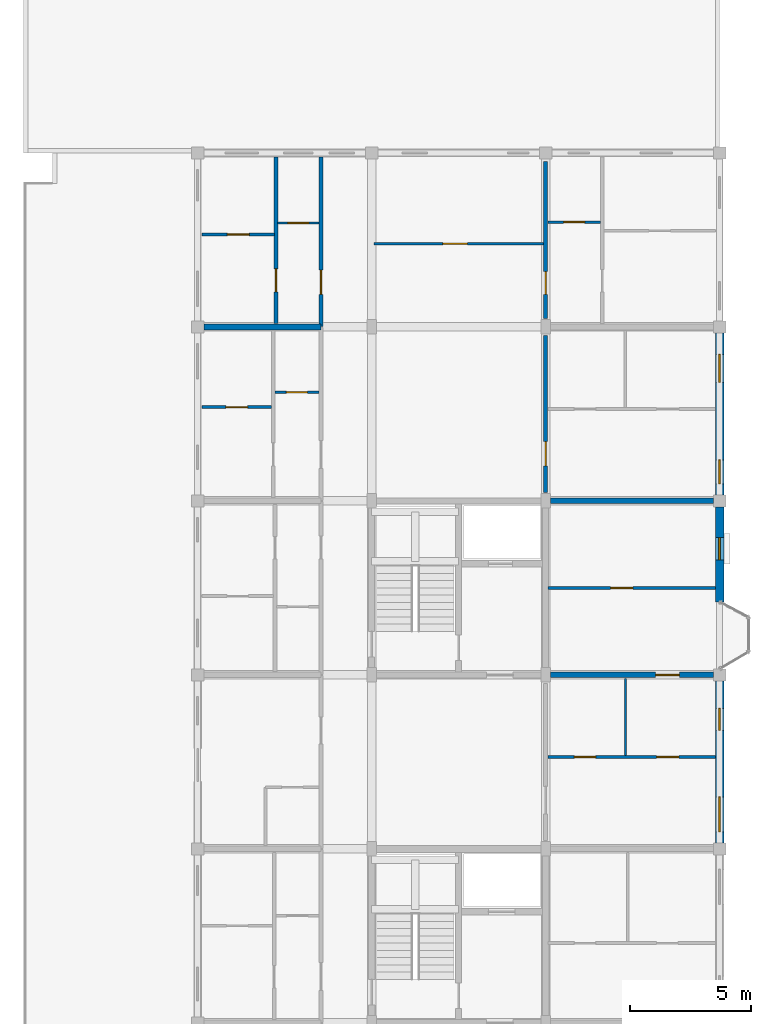
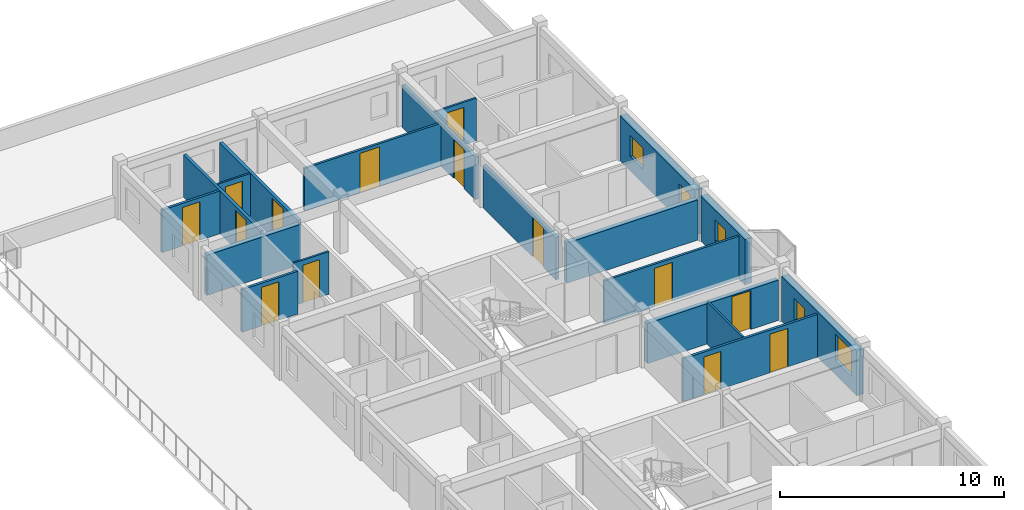
# One storey, part 57 of 70: 19 walls, 14 doors, 5 windows, 19 openings.
"""IFC4 building model written with IfcOpenShell, lengths in metres."""

from ifc_helpers import new_model, si_unit, direction, frame, frame_2d, origin, place, context, subcontext, project, spatial, rectangle, extrude, material, layer, layer_set, type_object, element, fill, save


model = new_model("IFC4")

# Units and contexts
model_context = context("Model", 3, precision=1e-05, world=origin(), true_north=direction((0.0, 1.0)))
body_context = subcontext(model_context, "Body", "Model", "MODEL_VIEW")
ifc_project = project(units=[si_unit("LENGTHUNIT", "METRE"), si_unit("AREAUNIT", "SQUARE_METRE"), si_unit("VOLUMEUNIT", "CUBIC_METRE"), si_unit("PLANEANGLEUNIT", "RADIAN"), si_unit("MASSUNIT", "GRAM", prefix="KILO"), si_unit("THERMODYNAMICTEMPERATUREUNIT", "KELVIN"), si_unit("POWERUNIT", "WATT")], contexts=[model_context])

# Site, building, storey
site_placement = place(None, origin())
site = spatial("IfcSite", under=ifc_project, at=site_placement, CompositionType="ELEMENT")
building_placement = place(site_placement, origin())
building = spatial("IfcBuilding", under=site, at=building_placement, Name="Tavuni Mirador Residences", CompositionType="ELEMENT")
storey_placement = place(building_placement, frame((0.0, 0.0, 23.39990234375)))
storey = spatial("IfcBuildingStorey", under=building, at=storey_placement, Name="L07", CompositionType="ELEMENT", Elevation=23.39990234375)

# Wall, opening, door
ifc_material_1 = material(Name="Precast concrete C40/50", Category="concrete")
ifc_layer_1 = layer(ifc_material_1, 0.1650390625, Name="Precast concrete C40/50", Category="concrete")
ifc_layer_set_1 = layer_set([ifc_layer_1], Name="Precast concrete C40/50")
wall_type_1 = type_object("IfcWallType", Name="WT-CORR165", PredefinedType="PARTITIONING", material=ifc_layer_set_1)
wall_1_placement = place(storey_placement, frame((102.300048828125, 122.419921875, 0.0), z_axis=(0.0, 0.0, 1.0), x_axis=(0.0, 1.0, 0.0)))
wall_1 = element("IfcWall", 1, at=wall_1_placement, inside=storey, type_object=wall_type_1, Name="CORW-BLK-D-L07-0-05", PredefinedType="PARTITIONING", context=body_context, shape_type="SweptSolid", body=[
    extrude(rectangle(XDim=7.005126953125, YDim=0.1650390625, at=frame_2d((3.50244140625, 0.0))), origin(), (0.0, 0.0, 1.0), 2.3251953125),
])
opening_1_placement = place(wall_1_placement, frame((1.330078125, 0.0, 0.0)))
opening_1 = element("IfcOpeningElement", 2, at=opening_1_placement, cuts=wall_1, Name="Opening D-03", PredefinedType="OPENING", context=body_context, shape_type="SweptSolid", body=[
    extrude(rectangle(XDim=1.0, YDim=2.14990234375, at=frame_2d((0.5, 1.074951171875))), frame((0.0, 0.092529296875, 0.0), z_axis=(0.0, -1.0, 0.0), x_axis=(1.0, 0.0, 0.0)), (0.0, 0.0, 1.0), 0.18505859375),
])
ifc_material_2 = material(Name="Solid core iroko timber", Category="wood")
door_type_1 = type_object("IfcDoorType", Name="DT-FD60-1000", OperationType="NOTDEFINED", PredefinedType="DOOR", material=ifc_material_2)
door_1_placement = place(opening_1_placement, origin())
door_1 = element("IfcDoor", 3, at=door_1_placement, inside=storey, type_object=door_type_1, Name="DR-2898", OperationType="SINGLE_SWING_LEFT", OverallHeight=2.14990234375, OverallWidth=1.0, PredefinedType="DOOR", context=body_context, shape_type="SweptSolid", body=[
    extrude(rectangle(XDim=1.0, YDim=2.14990234375, at=frame_2d((0.5, 1.074951171875))), frame((0.0, 0.02490234375, 0.0), z_axis=(0.0, -1.0, 0.0), x_axis=(1.0, 0.0, 0.0)), (0.0, 0.0, 1.0), 0.050048828125),
])
fill(opening_1, door_1)

wall_2_placement = place(storey_placement, frame((111.60009765625, 115.550048828125, 0.0), z_axis=(0.0, 0.0, 1.0), x_axis=(0.0, 1.0, 0.0)))
wall_2 = element("IfcWall", 4, at=wall_2_placement, inside=storey, type_object=wall_type_1, Name="CORW-BLK-D-L07-1-04", PredefinedType="PARTITIONING", context=body_context, shape_type="SweptSolid", body=[
    extrude(rectangle(XDim=6.5, YDim=0.1650390625, at=frame_2d((3.25, 0.0))), origin(), (0.0, 0.0, 1.0), 2.3251953125),
])
opening_2_placement = place(wall_2_placement, frame((1.10009765625, 0.0, 0.0)))
opening_2 = element("IfcOpeningElement", 5, at=opening_2_placement, cuts=wall_2, Name="Opening D-03", PredefinedType="OPENING", context=body_context, shape_type="SweptSolid", body=[
    extrude(rectangle(XDim=1.0, YDim=2.14990234375, at=frame_2d((0.5, 1.074951171875))), frame((0.0, 0.092529296875, 0.0), z_axis=(0.0, -1.0, 0.0), x_axis=(1.0, 0.0, 0.0)), (0.0, 0.0, 1.0), 0.18505859375),
])
door_2_placement = place(opening_2_placement, origin())
door_2 = element("IfcDoor", 6, at=door_2_placement, inside=storey, type_object=door_type_1, Name="DR-2901", OperationType="SINGLE_SWING_RIGHT", OverallHeight=2.14990234375, OverallWidth=1.0, PredefinedType="DOOR", context=body_context, shape_type="SweptSolid", body=[
    extrude(rectangle(XDim=1.0, YDim=2.14990234375, at=frame_2d((0.5, 1.074951171875))), frame((0.0, 0.02490234375, 0.0), z_axis=(0.0, -1.0, 0.0), x_axis=(1.0, 0.0, 0.0)), (0.0, 0.0, 1.0), 0.050048828125),
])
fill(opening_2, door_2)

wall_3_placement = place(storey_placement, frame((111.60009765625, 122.75, 0.0), z_axis=(0.0, 0.0, 1.0), x_axis=(0.0, 1.0, 0.0)))
wall_3 = element("IfcWall", 7, at=wall_3_placement, inside=storey, type_object=wall_type_1, Name="CORW-BLK-D-L07-1-05", PredefinedType="PARTITIONING", context=body_context, shape_type="SweptSolid", body=[
    extrude(rectangle(XDim=6.5, YDim=0.1650390625, at=frame_2d((3.25, 0.0))), origin(), (0.0, 0.0, 1.0), 2.3251953125),
])
opening_3_placement = place(wall_3_placement, frame((1.0, 0.0, 0.0)))
opening_3 = element("IfcOpeningElement", 8, at=opening_3_placement, cuts=wall_3, Name="Opening D-19", PredefinedType="OPENING", context=body_context, shape_type="SweptSolid", body=[
    extrude(rectangle(XDim=0.93994140625, YDim=2.1201171875, at=frame_2d((0.469970703125, 1.06005859375))), frame((0.0, 0.092529296875, 0.0), z_axis=(0.0, -1.0, 0.0), x_axis=(1.0, 0.0, 0.0)), (0.0, 0.0, 1.0), 0.18505859375),
])
door_type_2 = type_object("IfcDoorType", Name="DT-FD60-940", OperationType="NOTDEFINED", PredefinedType="DOOR", material=ifc_material_2)
door_3_placement = place(opening_3_placement, origin())
door_3 = element("IfcDoor", 9, at=door_3_placement, inside=storey, type_object=door_type_2, Name="DR-2902", OperationType="SINGLE_SWING_LEFT", OverallHeight=2.1201171875, OverallWidth=0.93994140625, PredefinedType="DOOR", context=body_context, shape_type="SweptSolid", body=[
    extrude(rectangle(XDim=0.93994140625, YDim=2.1201171875, at=frame_2d((0.469970703125, 1.06005859375))), frame((0.0, 0.02490234375, 0.0), z_axis=(0.0, -1.0, 0.0), x_axis=(1.0, 0.0, 0.0)), (0.0, 0.0, 1.0), 0.050048828125),
])
fill(opening_3, door_3)

# Wall, openings, windows
ifc_material_3 = material(Name="Sgraffito lime-rendered precast concrete C40/50", Category="concrete")
ifc_layer_2 = layer(ifc_material_3, 0.344970703125, Name="Sgraffito lime-rendered precast concrete C40/50", Category="concrete")
ifc_layer_set_2 = layer_set([ifc_layer_2], Name="Sgraffito lime-rendered precast concrete C40/50")
wall_type_2 = type_object("IfcWallType", Name="WT-EXT-PTY345", PredefinedType="SOLIDWALL", material=ifc_layer_set_2)
wall_4_placement = place(storey_placement, frame((118.800048828125, 101.050048828125, 0.0), z_axis=(0.0, 0.0, 1.0), x_axis=(0.0, 1.0, 0.0)))
wall_4 = element("IfcWall", 10, at=wall_4_placement, inside=storey, type_object=wall_type_2, Name="EW-BLK-D-L07-E02", PredefinedType="SOLIDWALL", context=body_context, shape_type="SweptSolid", body=[
    extrude(rectangle(XDim=6.699951171875, YDim=0.344970703125, at=frame_2d((3.35009765625, 0.0))), origin(), (0.0, 0.0, 1.0), 2.460205078125),
])
opening_4_placement = place(wall_4_placement, frame((0.449951171875, 0.0, 0.780029296875)))
opening_4 = element("IfcOpeningElement", 11, at=opening_4_placement, cuts=wall_4, Name="Opening WN-30", PredefinedType="OPENING", context=body_context, shape_type="SweptSolid", body=[
    extrude(rectangle(XDim=1.449951171875, YDim=1.43994140625, at=frame_2d((0.72509765625, 0.719970703125))), frame((0.0, 0.1826171875, 0.0), z_axis=(0.0, -1.0, 0.0), x_axis=(1.0, 0.0, 0.0)), (0.0, 0.0, 1.0), 0.364990234375),
])
opening_5_placement = place(wall_4_placement, frame((4.64990234375, 0.0, 0.780029296875)))
opening_5 = element("IfcOpeningElement", 12, at=opening_5_placement, cuts=wall_4, Name="Opening WN-02", PredefinedType="OPENING", context=body_context, shape_type="SweptSolid", body=[
    extrude(rectangle(XDim=0.919921875, YDim=1.14990234375, at=frame_2d((0.4599609375, 0.574951171875))), frame((0.0, 0.1826171875, 0.0), z_axis=(0.0, -1.0, 0.0), x_axis=(1.0, 0.0, 0.0)), (0.0, 0.0, 1.0), 0.364990234375),
])
ifc_material_4 = material(Name="Laminated solar-control glass", Category="glass")
window_type_1 = type_object("IfcWindowType", Name="WNT-02", PartitioningType="SINGLE_PANEL", PredefinedType="WINDOW", material=ifc_material_4)
window_1_placement = place(opening_5_placement, origin())
window_1 = element("IfcWindow", 13, at=window_1_placement, inside=storey, type_object=window_type_1, Name="WIN-1703", OverallHeight=1.14990234375, OverallWidth=0.919921875, PartitioningType="SINGLE_PANEL", PredefinedType="WINDOW", context=body_context, shape_type="SweptSolid", body=[
    extrude(rectangle(XDim=0.919921875, YDim=1.14990234375, at=frame_2d((0.4599609375, 0.574951171875))), frame((0.0, 0.030029296875, 0.0), z_axis=(0.0, -1.0, 0.0), x_axis=(1.0, 0.0, 0.0)), (0.0, 0.0, 1.0), 0.06005859375),
])
fill(opening_5, window_1)
window_type_2 = type_object("IfcWindowType", Name="WNT-30", PartitioningType="SINGLE_PANEL", PredefinedType="WINDOW", material=ifc_material_4)
window_2_placement = place(opening_4_placement, origin())
window_2 = element("IfcWindow", 14, at=window_2_placement, inside=storey, type_object=window_type_2, Name="WIN-1702", OverallHeight=1.43994140625, OverallWidth=1.449951171875, PartitioningType="SINGLE_PANEL", PredefinedType="WINDOW", context=body_context, shape_type="SweptSolid", body=[
    extrude(rectangle(XDim=1.449951171875, YDim=1.43994140625, at=frame_2d((0.72509765625, 0.719970703125))), frame((0.0, 0.030029296875, 0.0), z_axis=(0.0, -1.0, 0.0), x_axis=(1.0, 0.0, 0.0)), (0.0, 0.0, 1.0), 0.06005859375),
])
fill(opening_4, window_2)

# Wall, opening, window
wall_5_placement = place(storey_placement, frame((118.800048828125, 111.02001953125, 0.0), z_axis=(0.0, 0.0, 1.0), x_axis=(0.0, 1.0, 0.0)))
wall_5 = element("IfcWall", 15, at=wall_5_placement, inside=storey, type_object=wall_type_2, Name="EW-BLK-D-L07-E03", PredefinedType="SOLIDWALL", context=body_context, shape_type="SweptSolid", body=[
    extrude(rectangle(XDim=3.929931640625, YDim=0.344970703125, at=frame_2d((1.96484375, 0.0))), origin(), (0.0, 0.0, 1.0), 2.460205078125),
])
opening_6_placement = place(wall_5_placement, frame((1.739990234375, 0.0, 0.780029296875)))
opening_6 = element("IfcOpeningElement", 16, at=opening_6_placement, cuts=wall_5, Name="Opening WN-02", PredefinedType="OPENING", context=body_context, shape_type="SweptSolid", body=[
    extrude(rectangle(XDim=0.919921875, YDim=1.14990234375, at=frame_2d((0.4599609375, 0.574951171875))), frame((0.0, 0.1826171875, 0.0), z_axis=(0.0, -1.0, 0.0), x_axis=(1.0, 0.0, 0.0)), (0.0, 0.0, 1.0), 0.364990234375),
])
window_3_placement = place(opening_6_placement, origin())
window_3 = element("IfcWindow", 17, at=window_3_placement, inside=storey, type_object=window_type_1, Name="WIN-1704", OverallHeight=1.14990234375, OverallWidth=0.919921875, PartitioningType="SINGLE_PANEL", PredefinedType="WINDOW", context=body_context, shape_type="SweptSolid", body=[
    extrude(rectangle(XDim=0.919921875, YDim=1.14990234375, at=frame_2d((0.4599609375, 0.574951171875))), frame((0.0, 0.030029296875, 0.0), z_axis=(0.0, -1.0, 0.0), x_axis=(1.0, 0.0, 0.0)), (0.0, 0.0, 1.0), 0.06005859375),
])
fill(opening_6, window_3)

# Wall, openings, windows
wall_6_placement = place(storey_placement, frame((118.800048828125, 115.449951171875, 0.0), z_axis=(0.0, 0.0, 1.0), x_axis=(0.0, 1.0, 0.0)))
wall_6 = element("IfcWall", 18, at=wall_6_placement, inside=storey, type_object=wall_type_2, Name="EW-BLK-D-L07-E04", PredefinedType="SOLIDWALL", context=body_context, shape_type="SweptSolid", body=[
    extrude(rectangle(XDim=6.699951171875, YDim=0.344970703125, at=frame_2d((3.35009765625, 0.0))), origin(), (0.0, 0.0, 1.0), 2.460205078125),
])
opening_7_placement = place(wall_6_placement, frame((0.449951171875, 0.0, 0.780029296875)))
opening_7 = element("IfcOpeningElement", 19, at=opening_7_placement, cuts=wall_6, Name="Opening WN-03", PredefinedType="OPENING", context=body_context, shape_type="SweptSolid", body=[
    extrude(rectangle(XDim=1.0, YDim=1.14990234375, at=frame_2d((0.5, 0.574951171875))), frame((0.0, 0.1826171875, 0.0), z_axis=(0.0, -1.0, 0.0), x_axis=(1.0, 0.0, 0.0)), (0.0, 0.0, 1.0), 0.364990234375),
])
opening_8_placement = place(wall_6_placement, frame((4.64990234375, 0.0, 0.780029296875)))
opening_8 = element("IfcOpeningElement", 20, at=opening_8_placement, cuts=wall_6, Name="Opening WN-05", PredefinedType="OPENING", context=body_context, shape_type="SweptSolid", body=[
    extrude(rectangle(XDim=1.159912109375, YDim=1.14990234375, at=frame_2d((0.580078125, 0.574951171875))), frame((0.0, 0.1826171875, 0.0), z_axis=(0.0, -1.0, 0.0), x_axis=(1.0, 0.0, 0.0)), (0.0, 0.0, 1.0), 0.364990234375),
])
window_type_3 = type_object("IfcWindowType", Name="WNT-03", PartitioningType="SINGLE_PANEL", PredefinedType="WINDOW", material=ifc_material_4)
window_4_placement = place(opening_7_placement, origin())
window_4 = element("IfcWindow", 21, at=window_4_placement, inside=storey, type_object=window_type_3, Name="WIN-1705", OverallHeight=1.14990234375, OverallWidth=1.0, PartitioningType="SINGLE_PANEL", PredefinedType="WINDOW", context=body_context, shape_type="SweptSolid", body=[
    extrude(rectangle(XDim=1.0, YDim=1.14990234375, at=frame_2d((0.5, 0.574951171875))), frame((0.0, 0.030029296875, 0.0), z_axis=(0.0, -1.0, 0.0), x_axis=(1.0, 0.0, 0.0)), (0.0, 0.0, 1.0), 0.06005859375),
])
fill(opening_7, window_4)
window_type_4 = type_object("IfcWindowType", Name="WNT-05", PartitioningType="SINGLE_PANEL", PredefinedType="WINDOW", material=ifc_material_4)
window_5_placement = place(opening_8_placement, origin())
window_5 = element("IfcWindow", 22, at=window_5_placement, inside=storey, type_object=window_type_4, Name="WIN-1706", OverallHeight=1.14990234375, OverallWidth=1.159912109375, PartitioningType="SINGLE_PANEL", PredefinedType="WINDOW", context=body_context, shape_type="SweptSolid", body=[
    extrude(rectangle(XDim=1.159912109375, YDim=1.14990234375, at=frame_2d((0.580078125, 0.574951171875))), frame((0.0, 0.030029296875, 0.0), z_axis=(0.0, -1.0, 0.0), x_axis=(1.0, 0.0, 0.0)), (0.0, 0.0, 1.0), 0.06005859375),
])
fill(opening_8, window_5)

# Wall
ifc_material_5 = material(Name="Acoustic gypsum and concrete block partition", Category="concrete")
ifc_layer_3 = layer(ifc_material_5, 0.094970703125, Name="Acoustic gypsum and concrete block partition", Category="concrete")
ifc_layer_set_3 = layer_set([ifc_layer_3], Name="Acoustic gypsum and concrete block partition")
wall_type_3 = type_object("IfcWallType", Name="WT-PART095", PredefinedType="PARTITIONING", material=ifc_layer_set_3)
wall_7_placement = place(storey_placement, frame((114.89990234375, 104.669921875, 0.0), z_axis=(0.0, 0.0, 1.0), x_axis=(0.0, 1.0, 0.0)))
element("IfcWall", 23, at=wall_7_placement, inside=storey, type_object=wall_type_3, Name="PW-BLK-D-L07-PF02-V", PredefinedType="PARTITIONING", context=body_context, shape_type="SweptSolid", body=[
    extrude(rectangle(XDim=3.190185546875, YDim=0.094970703125, at=frame_2d((1.59521484375, 0.0))), origin(), (0.0, 0.0, 1.0), 2.3251953125),
])

# Wall, opening, door
wall_8_placement = place(storey_placement, frame((100.389892578125, 119.699951171875, 0.0), z_axis=(0.0, 0.0, 1.0), x_axis=(1.0, 0.0, 0.0)))
wall_8 = element("IfcWall", 24, at=wall_8_placement, inside=storey, type_object=wall_type_3, Name="PW-BLK-D-L07-W04-IN1", PredefinedType="PARTITIONING", context=body_context, shape_type="SweptSolid", body=[
    extrude(rectangle(XDim=1.820068359375, YDim=0.094970703125, at=frame_2d((0.91015625, 0.0))), origin(), (0.0, 0.0, 1.0), 2.3251953125),
])
opening_9_placement = place(wall_8_placement, frame((0.47509765625, 0.0, 0.0)))
opening_9 = element("IfcOpeningElement", 25, at=opening_9_placement, cuts=wall_8, Name="Opening D-10", PredefinedType="OPENING", context=body_context, shape_type="SweptSolid", body=[
    extrude(rectangle(XDim=0.8701171875, YDim=2.050048828125, at=frame_2d((0.43505859375, 1.02490234375))), frame((0.0, 0.0576171875, 0.0), z_axis=(0.0, -1.0, 0.0), x_axis=(1.0, 0.0, 0.0)), (0.0, 0.0, 1.0), 0.114990234375),
])
door_type_3 = type_object("IfcDoorType", Name="DT-WC870", OperationType="NOTDEFINED", PredefinedType="DOOR", material=ifc_material_2)
door_4_placement = place(opening_9_placement, origin())
door_4 = element("IfcDoor", 26, at=door_4_placement, inside=storey, type_object=door_type_3, Name="DR-4569", OperationType="SINGLE_SWING_RIGHT", OverallHeight=2.050048828125, OverallWidth=0.8701171875, PredefinedType="DOOR", context=body_context, shape_type="SweptSolid", body=[
    extrude(rectangle(XDim=0.8701171875, YDim=2.050048828125, at=frame_2d((0.43505859375, 1.02490234375))), frame((0.0, 0.02490234375, 0.0), z_axis=(0.0, -1.0, 0.0), x_axis=(1.0, 0.0, 0.0)), (0.0, 0.0, 1.0), 0.050048828125),
])
fill(opening_9, door_4)

wall_9_placement = place(storey_placement, frame((100.510009765625, 126.699951171875, 0.0), z_axis=(0.0, 0.0, 1.0), x_axis=(1.0, 0.0, 0.0)))
wall_9 = element("IfcWall", 27, at=wall_9_placement, inside=storey, type_object=wall_type_3, Name="PW-BLK-D-L07-W05-IN1", PredefinedType="PARTITIONING", context=body_context, shape_type="SweptSolid", body=[
    extrude(rectangle(XDim=1.699951171875, YDim=0.094970703125, at=frame_2d((0.85009765625, 0.0))), origin(), (0.0, 0.0, 1.0), 2.3251953125),
])
opening_10_placement = place(wall_9_placement, frame((0.4150390625, 0.0, 0.0)))
opening_10 = element("IfcOpeningElement", 28, at=opening_10_placement, cuts=wall_9, Name="Opening D-10", PredefinedType="OPENING", context=body_context, shape_type="SweptSolid", body=[
    extrude(rectangle(XDim=0.8701171875, YDim=2.050048828125, at=frame_2d((0.43505859375, 1.02490234375))), frame((0.0, 0.0576171875, 0.0), z_axis=(0.0, -1.0, 0.0), x_axis=(1.0, 0.0, 0.0)), (0.0, 0.0, 1.0), 0.114990234375),
])
door_5_placement = place(opening_10_placement, origin())
door_5 = element("IfcDoor", 29, at=door_5_placement, inside=storey, type_object=door_type_3, Name="DR-4575", OperationType="SINGLE_SWING_RIGHT", OverallHeight=2.050048828125, OverallWidth=0.8701171875, PredefinedType="DOOR", context=body_context, shape_type="SweptSolid", body=[
    extrude(rectangle(XDim=0.8701171875, YDim=2.050048828125, at=frame_2d((0.43505859375, 1.02490234375))), frame((0.0, 0.02490234375, 0.0), z_axis=(0.0, -1.0, 0.0), x_axis=(1.0, 0.0, 0.0)), (0.0, 0.0, 1.0), 0.050048828125),
])
fill(opening_10, door_5)

ifc_layer_4 = layer(ifc_material_5, 0.10498046875, Name="Acoustic gypsum and concrete block partition", Category="concrete")
ifc_layer_set_4 = layer_set([ifc_layer_4], Name="Acoustic gypsum and concrete block partition")
wall_type_4 = type_object("IfcWallType", Name="WT-PART105", PredefinedType="PARTITIONING", material=ifc_layer_set_4)
wall_10_placement = place(storey_placement, frame((111.68994140625, 126.739990234375, 0.0), z_axis=(0.0, 0.0, 1.0), x_axis=(1.0, 0.0, 0.0)))
wall_10 = element("IfcWall", 30, at=wall_10_placement, inside=storey, type_object=wall_type_4, Name="PW-BLK-D-L07-E05-IN1", PredefinedType="PARTITIONING", context=body_context, shape_type="SweptSolid", body=[
    extrude(rectangle(XDim=2.18017578125, YDim=0.10498046875, at=frame_2d((1.090087890625, 0.0))), origin(), (0.0, 0.0, 1.0), 2.3251953125),
])
opening_11_placement = place(wall_10_placement, frame((0.655029296875, 0.0, 0.0)))
opening_11 = element("IfcOpeningElement", 31, at=opening_11_placement, cuts=wall_10, Name="Opening D-10", PredefinedType="OPENING", context=body_context, shape_type="SweptSolid", body=[
    extrude(rectangle(XDim=0.8701171875, YDim=2.050048828125, at=frame_2d((0.43505859375, 1.02490234375))), frame((0.0, 0.0625, 0.0), z_axis=(0.0, -1.0, 0.0), x_axis=(1.0, 0.0, 0.0)), (0.0, 0.0, 1.0), 0.125),
])
door_6_placement = place(opening_11_placement, origin())
door_6 = element("IfcDoor", 32, at=door_6_placement, inside=storey, type_object=door_type_3, Name="DR-4578", OperationType="SINGLE_SWING_LEFT", OverallHeight=2.050048828125, OverallWidth=0.8701171875, PredefinedType="DOOR", context=body_context, shape_type="SweptSolid", body=[
    extrude(rectangle(XDim=0.8701171875, YDim=2.050048828125, at=frame_2d((0.43505859375, 1.02490234375))), frame((0.0, 0.02490234375, 0.0), z_axis=(0.0, -1.0, 0.0), x_axis=(1.0, 0.0, 0.0)), (0.0, 0.0, 1.0), 0.050048828125),
])
fill(opening_11, door_6)

ifc_layer_5 = layer(ifc_material_5, 0.114990234375, Name="Acoustic gypsum and concrete block partition", Category="concrete")
ifc_layer_set_5 = layer_set([ifc_layer_5], Name="Acoustic gypsum and concrete block partition")
wall_type_5 = type_object("IfcWallType", Name="WT-PART115", PredefinedType="PARTITIONING", material=ifc_layer_set_5)
wall_11_placement = place(storey_placement, frame((111.68994140625, 111.60009765625, 0.0), z_axis=(0.0, 0.0, 1.0), x_axis=(1.0, 0.0, 0.0)))
wall_11 = element("IfcWall", 33, at=wall_11_placement, inside=storey, type_object=wall_type_5, Name="PW-BLK-D-L07-PF03-H", PredefinedType="PARTITIONING", context=body_context, shape_type="SweptSolid", body=[
    extrude(rectangle(XDim=6.93505859375, YDim=0.114990234375, at=frame_2d((3.467529296875, 0.0))), origin(), (0.0, 0.0, 1.0), 2.3251953125),
])
opening_12_placement = place(wall_11_placement, frame((2.60009765625, 0.0, 0.0)))
opening_12 = element("IfcOpeningElement", 34, at=opening_12_placement, cuts=wall_11, Name="Opening D-06", PredefinedType="OPENING", context=body_context, shape_type="SweptSolid", body=[
    extrude(rectangle(XDim=0.919921875, YDim=2.10009765625, at=frame_2d((0.4599609375, 1.050048828125))), frame((0.0, 0.0673828125, 0.0), z_axis=(0.0, -1.0, 0.0), x_axis=(1.0, 0.0, 0.0)), (0.0, 0.0, 1.0), 0.135009765625),
])
door_type_4 = type_object("IfcDoorType", Name="DT-INT920", OperationType="NOTDEFINED", PredefinedType="DOOR", material=ifc_material_2)
door_7_placement = place(opening_12_placement, origin())
door_7 = element("IfcDoor", 35, at=door_7_placement, inside=storey, type_object=door_type_4, Name="DR-4567", OperationType="SINGLE_SWING_RIGHT", OverallHeight=2.10009765625, OverallWidth=0.919921875, PredefinedType="DOOR", context=body_context, shape_type="SweptSolid", body=[
    extrude(rectangle(XDim=0.919921875, YDim=2.10009765625, at=frame_2d((0.4599609375, 1.050048828125))), frame((0.0, 0.02490234375, 0.0), z_axis=(0.0, -1.0, 0.0), x_axis=(1.0, 0.0, 0.0)), (0.0, 0.0, 1.0), 0.050048828125),
])
fill(opening_12, door_7)

wall_12_placement = place(storey_placement, frame((104.489990234375, 125.840087890625, 0.0), z_axis=(0.0, 0.0, 1.0), x_axis=(1.0, 0.0, 0.0)))
wall_12 = element("IfcWall", 36, at=wall_12_placement, inside=storey, type_object=wall_type_5, Name="PW-SPN-BLK-D-L07-05", PredefinedType="PARTITIONING", context=body_context, shape_type="SweptSolid", body=[
    extrude(rectangle(XDim=7.02001953125, YDim=0.114990234375, at=frame_2d((3.510009765625, 0.0))), origin(), (0.0, 0.0, 1.0), 2.3251953125),
])
opening_13_placement = place(wall_12_placement, frame((2.85009765625, 0.0, 0.0)))
opening_13 = element("IfcOpeningElement", 37, at=opening_13_placement, cuts=wall_12, Name="Opening D-13", PredefinedType="OPENING", context=body_context, shape_type="SweptSolid", body=[
    extrude(rectangle(XDim=1.02001953125, YDim=2.14990234375, at=frame_2d((0.510009765625, 1.074951171875))), frame((0.0, 0.0673828125, 0.0), z_axis=(0.0, -1.0, 0.0), x_axis=(1.0, 0.0, 0.0)), (0.0, 0.0, 1.0), 0.135009765625),
])
door_type_5 = type_object("IfcDoorType", Name="DT-MTG1020", OperationType="NOTDEFINED", PredefinedType="DOOR", material=ifc_material_2)
door_8_placement = place(opening_13_placement, origin())
door_8 = element("IfcDoor", 38, at=door_8_placement, inside=storey, type_object=door_type_5, Name="DR-4573", OperationType="SINGLE_SWING_LEFT", OverallHeight=2.14990234375, OverallWidth=1.02001953125, PredefinedType="DOOR", context=body_context, shape_type="SweptSolid", body=[
    extrude(rectangle(XDim=1.02001953125, YDim=2.14990234375, at=frame_2d((0.510009765625, 1.074951171875))), frame((0.0, 0.02490234375, 0.0), z_axis=(0.0, -1.0, 0.0), x_axis=(1.0, 0.0, 0.0)), (0.0, 0.0, 1.0), 0.050048828125),
])
fill(opening_13, door_8)

# Wall, openings, doors
ifc_layer_6 = layer(ifc_material_5, 0.125, Name="Acoustic gypsum and concrete block partition", Category="concrete")
ifc_layer_set_6 = layer_set([ifc_layer_6], Name="Acoustic gypsum and concrete block partition")
wall_type_6 = type_object("IfcWallType", Name="WT-PART125", PredefinedType="PARTITIONING", material=ifc_layer_set_6)
wall_13_placement = place(storey_placement, frame((111.68994140625, 104.60009765625, 0.0), z_axis=(0.0, 0.0, 1.0), x_axis=(1.0, 0.0, 0.0)))
wall_13 = element("IfcWall", 39, at=wall_13_placement, inside=storey, type_object=wall_type_6, Name="PW-BLK-D-L07-PF02-H", PredefinedType="PARTITIONING", context=body_context, shape_type="SweptSolid", body=[
    extrude(rectangle(XDim=6.93505859375, YDim=0.125, at=frame_2d((3.467529296875, 0.0))), origin(), (0.0, 0.0, 1.0), 2.3251953125),
])
opening_14_placement = place(wall_13_placement, frame((1.10009765625, 0.0, 0.0)))
opening_14 = element("IfcOpeningElement", 40, at=opening_14_placement, cuts=wall_13, Name="Opening D-10", PredefinedType="OPENING", context=body_context, shape_type="SweptSolid", body=[
    extrude(rectangle(XDim=0.8701171875, YDim=2.050048828125, at=frame_2d((0.43505859375, 1.02490234375))), frame((0.0, 0.072509765625, 0.0), z_axis=(0.0, -1.0, 0.0), x_axis=(1.0, 0.0, 0.0)), (0.0, 0.0, 1.0), 0.14501953125),
])
opening_15_placement = place(wall_13_placement, frame((4.5, 0.0, 0.0)))
opening_15 = element("IfcOpeningElement", 41, at=opening_15_placement, cuts=wall_13, Name="Opening D-06", PredefinedType="OPENING", context=body_context, shape_type="SweptSolid", body=[
    extrude(rectangle(XDim=0.919921875, YDim=2.10009765625, at=frame_2d((0.4599609375, 1.050048828125))), frame((0.0, 0.072509765625, 0.0), z_axis=(0.0, -1.0, 0.0), x_axis=(1.0, 0.0, 0.0)), (0.0, 0.0, 1.0), 0.14501953125),
])
door_9_placement = place(opening_15_placement, origin())
door_9 = element("IfcDoor", 42, at=door_9_placement, inside=storey, type_object=door_type_4, Name="DR-4563", OperationType="SINGLE_SWING_RIGHT", OverallHeight=2.10009765625, OverallWidth=0.919921875, PredefinedType="DOOR", context=body_context, shape_type="SweptSolid", body=[
    extrude(rectangle(XDim=0.919921875, YDim=2.10009765625, at=frame_2d((0.4599609375, 1.050048828125))), frame((0.0, 0.02490234375, 0.0), z_axis=(0.0, -1.0, 0.0), x_axis=(1.0, 0.0, 0.0)), (0.0, 0.0, 1.0), 0.050048828125),
])
fill(opening_15, door_9)
door_10_placement = place(opening_14_placement, origin())
door_10 = element("IfcDoor", 43, at=door_10_placement, inside=storey, type_object=door_type_3, Name="DR-4562", OperationType="SINGLE_SWING_LEFT", OverallHeight=2.050048828125, OverallWidth=0.8701171875, PredefinedType="DOOR", context=body_context, shape_type="SweptSolid", body=[
    extrude(rectangle(XDim=0.8701171875, YDim=2.050048828125, at=frame_2d((0.43505859375, 1.02490234375))), frame((0.0, 0.02490234375, 0.0), z_axis=(0.0, -1.0, 0.0), x_axis=(1.0, 0.0, 0.0)), (0.0, 0.0, 1.0), 0.050048828125),
])
fill(opening_14, door_10)

# Wall, opening, door
wall_14_placement = place(storey_placement, frame((97.375, 119.080078125, 0.0), z_axis=(0.0, 0.0, 1.0), x_axis=(1.0, 0.0, 0.0)))
wall_14 = element("IfcWall", 44, at=wall_14_placement, inside=storey, type_object=wall_type_6, Name="PW-BLK-D-L07-W04-OUT", PredefinedType="PARTITIONING", context=body_context, shape_type="SweptSolid", body=[
    extrude(rectangle(XDim=2.875, YDim=0.125, at=frame_2d((1.4375, 0.0))), origin(), (0.0, 0.0, 1.0), 2.3251953125),
])
opening_16_placement = place(wall_14_placement, frame((0.987548828125, 0.0, 0.0)))
opening_16 = element("IfcOpeningElement", 45, at=opening_16_placement, cuts=wall_14, Name="Opening D-07", PredefinedType="OPENING", context=body_context, shape_type="SweptSolid", body=[
    extrude(rectangle(XDim=0.89990234375, YDim=2.10009765625, at=frame_2d((0.449951171875, 1.050048828125))), frame((0.0, 0.072509765625, 0.0), z_axis=(0.0, -1.0, 0.0), x_axis=(1.0, 0.0, 0.0)), (0.0, 0.0, 1.0), 0.14501953125),
])
door_type_6 = type_object("IfcDoorType", Name="DT-BED900", OperationType="NOTDEFINED", PredefinedType="DOOR", material=ifc_material_2)
door_11_placement = place(opening_16_placement, origin())
door_11 = element("IfcDoor", 46, at=door_11_placement, inside=storey, type_object=door_type_6, Name="DR-4568", OperationType="SINGLE_SWING_LEFT", OverallHeight=2.10009765625, OverallWidth=0.89990234375, PredefinedType="DOOR", context=body_context, shape_type="SweptSolid", body=[
    extrude(rectangle(XDim=0.89990234375, YDim=2.10009765625, at=frame_2d((0.449951171875, 1.050048828125))), frame((0.0, 0.02490234375, 0.0), z_axis=(0.0, -1.0, 0.0), x_axis=(1.0, 0.0, 0.0)), (0.0, 0.0, 1.0), 0.050048828125),
])
fill(opening_16, door_11)

wall_15_placement = place(storey_placement, frame((97.375, 126.219970703125, 0.0), z_axis=(0.0, 0.0, 1.0), x_axis=(1.0, 0.0, 0.0)))
wall_15 = element("IfcWall", 47, at=wall_15_placement, inside=storey, type_object=wall_type_6, Name="PW-BLK-D-L07-W05-OUT", PredefinedType="PARTITIONING", context=body_context, shape_type="SweptSolid", body=[
    extrude(rectangle(XDim=2.9951171875, YDim=0.125, at=frame_2d((1.49755859375, 0.0))), origin(), (0.0, 0.0, 1.0), 2.3251953125),
])
opening_17_placement = place(wall_15_placement, frame((1.047607421875, 0.0, 0.0)))
opening_17 = element("IfcOpeningElement", 48, at=opening_17_placement, cuts=wall_15, Name="Opening D-07", PredefinedType="OPENING", context=body_context, shape_type="SweptSolid", body=[
    extrude(rectangle(XDim=0.89990234375, YDim=2.10009765625, at=frame_2d((0.449951171875, 1.050048828125))), frame((0.0, 0.072509765625, 0.0), z_axis=(0.0, -1.0, 0.0), x_axis=(1.0, 0.0, 0.0)), (0.0, 0.0, 1.0), 0.14501953125),
])
door_12_placement = place(opening_17_placement, origin())
door_12 = element("IfcDoor", 49, at=door_12_placement, inside=storey, type_object=door_type_6, Name="DR-4574", OperationType="SINGLE_SWING_LEFT", OverallHeight=2.10009765625, OverallWidth=0.89990234375, PredefinedType="DOOR", context=body_context, shape_type="SweptSolid", body=[
    extrude(rectangle(XDim=0.89990234375, YDim=2.10009765625, at=frame_2d((0.449951171875, 1.050048828125))), frame((0.0, 0.02490234375, 0.0), z_axis=(0.0, -1.0, 0.0), x_axis=(1.0, 0.0, 0.0)), (0.0, 0.0, 1.0), 0.050048828125),
])
fill(opening_17, door_12)

ifc_layer_7 = layer(ifc_material_5, 0.14990234375, Name="Acoustic gypsum and concrete block partition", Category="concrete")
ifc_layer_set_7 = layer_set([ifc_layer_7], Name="Acoustic gypsum and concrete block partition")
wall_type_7 = type_object("IfcWallType", Name="WT-PART150", PredefinedType="PARTITIONING", material=ifc_layer_set_7)
wall_16_placement = place(storey_placement, frame((100.43994140625, 122.5400390625, 0.0), z_axis=(0.0, 0.0, 1.0), x_axis=(0.0, 1.0, 0.0)))
wall_16 = element("IfcWall", 50, at=wall_16_placement, inside=storey, type_object=wall_type_7, Name="PW-BLK-D-L07-W05-MID", PredefinedType="PARTITIONING", context=body_context, shape_type="SweptSolid", body=[
    extrude(rectangle(XDim=6.885009765625, YDim=0.14990234375, at=frame_2d((3.4423828125, 0.0))), origin(), (0.0, 0.0, 1.0), 2.3251953125),
])
opening_18_placement = place(wall_16_placement, frame((1.31005859375, 0.0, 0.0)))
opening_18 = element("IfcOpeningElement", 51, at=opening_18_placement, cuts=wall_16, Name="Opening D-05", PredefinedType="OPENING", context=body_context, shape_type="SweptSolid", body=[
    extrude(rectangle(XDim=0.949951171875, YDim=2.10009765625, at=frame_2d((0.47509765625, 1.050048828125))), frame((0.0, 0.0849609375, 0.0), z_axis=(0.0, -1.0, 0.0), x_axis=(1.0, 0.0, 0.0)), (0.0, 0.0, 1.0), 0.169921875),
])
door_type_7 = type_object("IfcDoorType", Name="DT-INT950", OperationType="NOTDEFINED", PredefinedType="DOOR", material=ifc_material_2)
door_13_placement = place(opening_18_placement, origin())
door_13 = element("IfcDoor", 52, at=door_13_placement, inside=storey, type_object=door_type_7, Name="DR-4576", OperationType="SINGLE_SWING_LEFT", OverallHeight=2.10009765625, OverallWidth=0.949951171875, PredefinedType="DOOR", context=body_context, shape_type="SweptSolid", body=[
    extrude(rectangle(XDim=0.949951171875, YDim=2.10009765625, at=frame_2d((0.47509765625, 1.050048828125))), frame((0.0, 0.02490234375, 0.0), z_axis=(0.0, -1.0, 0.0), x_axis=(1.0, 0.0, 0.0)), (0.0, 0.0, 1.0), 0.050048828125),
])
fill(opening_18, door_13)

ifc_layer_8 = layer(ifc_material_1, 0.235107421875, Name="Precast concrete C40/50", Category="concrete")
ifc_layer_set_8 = layer_set([ifc_layer_8], Name="Precast concrete C40/50")
wall_type_8 = type_object("IfcWallType", Name="WT-XW235", PredefinedType="SOLIDWALL", material=ifc_layer_set_8)
wall_17_placement = place(storey_placement, frame((111.800048828125, 108.0, 0.0), z_axis=(0.0, 0.0, 1.0), x_axis=(1.0, 0.0, 0.0)))
wall_17 = element("IfcWall", 53, at=wall_17_placement, inside=storey, type_object=wall_type_8, Name="XW-BLK-D-L07-E-03", PredefinedType="SOLIDWALL", context=body_context, shape_type="SweptSolid", body=[
    extrude(rectangle(XDim=6.75, YDim=0.235107421875, at=frame_2d((3.375, 0.0))), origin(), (0.0, 0.0, 1.0), 2.190185546875),
])
opening_19_placement = place(wall_17_placement, frame((4.35009765625, 0.0, 0.0)))
opening_19 = element("IfcOpeningElement", 54, at=opening_19_placement, cuts=wall_17, Name="Opening D-04", PredefinedType="OPENING", context=body_context, shape_type="SweptSolid", body=[
    extrude(rectangle(XDim=0.97998046875, YDim=2.1201171875, at=frame_2d((0.489990234375, 1.06005859375))), frame((0.0, 0.12744140625, 0.0), z_axis=(0.0, -1.0, 0.0), x_axis=(1.0, 0.0, 0.0)), (0.0, 0.0, 1.0), 0.255126953125),
])
door_type_8 = type_object("IfcDoorType", Name="DT-FD60-980", OperationType="NOTDEFINED", PredefinedType="DOOR", material=ifc_material_2)
door_14_placement = place(opening_19_placement, origin())
door_14 = element("IfcDoor", 55, at=door_14_placement, inside=storey, type_object=door_type_8, Name="DR-4773", OperationType="SINGLE_SWING_RIGHT", OverallHeight=2.1201171875, OverallWidth=0.97998046875, PredefinedType="DOOR", context=body_context, shape_type="SweptSolid", body=[
    extrude(rectangle(XDim=0.97998046875, YDim=2.1201171875, at=frame_2d((0.489990234375, 1.06005859375))), frame((0.0, 0.02490234375, 0.0), z_axis=(0.0, -1.0, 0.0), x_axis=(1.0, 0.0, 0.0)), (0.0, 0.0, 1.0), 0.050048828125),
])
fill(opening_19, door_14)

# Walls
wall_18_placement = place(storey_placement, frame((111.800048828125, 115.199951171875, 0.0), z_axis=(0.0, 0.0, 1.0), x_axis=(1.0, 0.0, 0.0)))
element("IfcWall", 56, at=wall_18_placement, inside=storey, type_object=wall_type_8, Name="XW-BLK-D-L07-E-04", PredefinedType="SOLIDWALL", context=body_context, shape_type="SweptSolid", body=[
    extrude(rectangle(XDim=6.75, YDim=0.235107421875, at=frame_2d((3.375, 0.0))), origin(), (0.0, 0.0, 1.0), 2.190185546875),
])
wall_19_placement = place(storey_placement, frame((97.449951171875, 122.39990234375, 0.0), z_axis=(0.0, 0.0, 1.0), x_axis=(1.0, 0.0, 0.0)))
element("IfcWall", 57, at=wall_19_placement, inside=storey, type_object=wall_type_8, Name="XW-BLK-D-L07-W-05", PredefinedType="SOLIDWALL", context=body_context, shape_type="SweptSolid", body=[
    extrude(rectangle(XDim=4.85009765625, YDim=0.235107421875, at=frame_2d((2.425048828125, 0.0))), origin(), (0.0, 0.0, 1.0), 2.190185546875),
])

save(model, "model.ifc")
